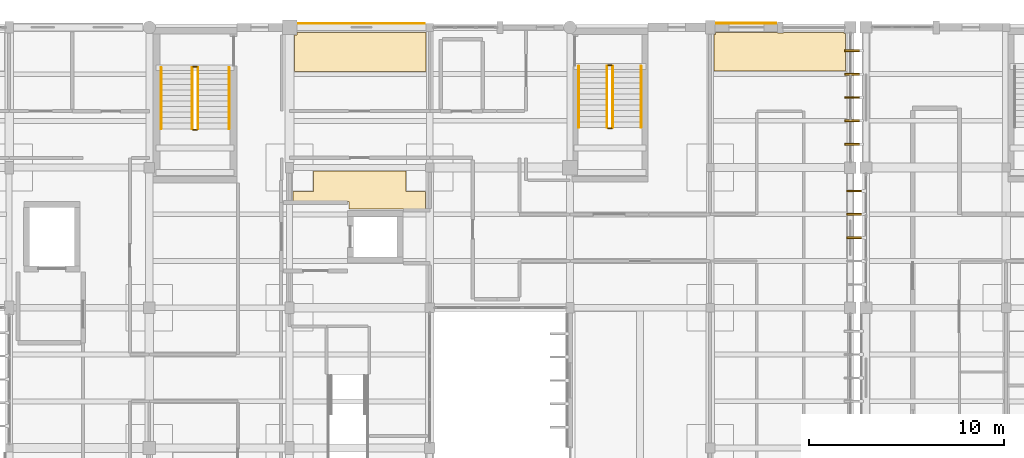
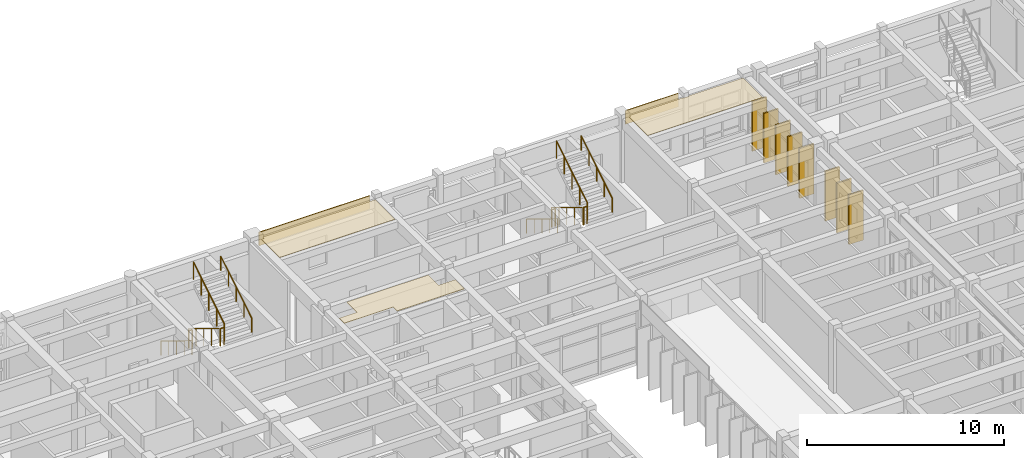
# One storey, part 96 of 100: 12 railings, 8 shading devices, 5 coverings.
"""IFC4 building model written with IfcOpenShell, lengths in metres."""

from ifc_helpers import new_model, si_unit, direction, frame, origin, origin_2d, place, context, subcontext, project, spatial, polyline, rectangle, circle, outline, extrude, material, layer, layer_set, material_profile, profile_set, type_object, element, save


model = new_model("IFC4")

# Units and contexts
model_context = context("Model", 3, precision=1e-05, world=origin(), true_north=direction((0.0, 1.0)))
body_context = subcontext(model_context, "Body", "Model", "MODEL_VIEW")
ifc_project = project(units=[si_unit("LENGTHUNIT", "METRE"), si_unit("AREAUNIT", "SQUARE_METRE"), si_unit("VOLUMEUNIT", "CUBIC_METRE"), si_unit("PLANEANGLEUNIT", "RADIAN"), si_unit("MASSUNIT", "GRAM", prefix="KILO")], contexts=[model_context])

# Site, building, storey
site_placement = place(None, origin())
site = spatial("IfcSite", under=ifc_project, at=site_placement, CompositionType="ELEMENT")
building_placement = place(site_placement, origin())
building = spatial("IfcBuilding", under=site, at=building_placement, Name="Steenspoor Specialist Clinic", CompositionType="ELEMENT")
storey_placement = place(building_placement, frame((0.0, 0.0, 9.0)))
storey = spatial("IfcBuildingStorey", under=building, at=storey_placement, Name="L02", CompositionType="ELEMENT", Elevation=9.0)

# Coverings
ifc_material_1 = material(Name="Washable acoustic mineral ceiling board", Category="gypsum")
ifc_layer_1 = layer(ifc_material_1, 0.02490234375)
ifc_layer_set_1 = layer_set([ifc_layer_1], Name="Washable acoustic mineral ceiling board")
covering_type_1 = type_object("IfcCoveringType", Name="COV-CEIL-ACOUSTIC", PredefinedType="CEILING", material=ifc_layer_set_1)
covering_1_placement = place(storey_placement, frame((0.0, 0.0, 3.925048828125)))
element("IfcCovering", 1, at=covering_1_placement, inside=storey, type_object=covering_type_1, Name="Acoustic Clinical Ceiling 138", PredefinedType="CEILING", context=body_context, shape_type="SweptSolid", body=[
    extrude(outline(polyline([(113.445068359375, 108.090087890625), (113.445068359375, 108.054931640625), (113.7548828125, 108.054931640625), (113.7548828125, 108.090087890625), (116.885009765625, 108.090087890625), (116.885009765625, 108.034912109375), (116.93994140625, 108.034912109375), (116.93994140625, 106.10009765625), (110.195068359375, 106.10009765625), (110.195068359375, 107.985107421875), (110.264892578125, 107.985107421875), (110.264892578125, 108.090087890625), (113.445068359375, 108.090087890625)])), origin(), (0.0, 0.0, 1.0), 0.02490234375),
])
covering_2_placement = place(storey_placement, frame((0.0, 0.0, 3.925048828125)))
element("IfcCovering", 2, at=covering_2_placement, inside=storey, type_object=covering_type_1, Name="Acoustic Clinical Ceiling 143", PredefinedType="CEILING", context=body_context, shape_type="SweptSolid", body=[
    extrude(outline(polyline([(91.43994140625, 99.014892578125), (91.43994140625, 99.4150390625), (88.570068359375, 99.4150390625), (88.570068359375, 99.929931640625), (89.6201171875, 99.929931640625), (89.6201171875, 100.97998046875), (94.3798828125, 100.97998046875), (94.3798828125, 99.929931640625), (95.3798828125, 99.929931640625), (95.3798828125, 99.014892578125), (91.43994140625, 99.014892578125)])), origin(), (0.0, 0.0, 1.0), 0.02490234375),
])
covering_3_placement = place(storey_placement, frame((0.0, 0.0, 3.925048828125)))
element("IfcCovering", 3, at=covering_3_placement, inside=storey, type_object=covering_type_1, Name="Acoustic Clinical Ceiling 144", PredefinedType="CEILING", context=body_context, shape_type="SweptSolid", body=[
    extrude(outline(polyline([(95.405029296875, 108.090087890625), (95.405029296875, 106.090087890625), (88.64501953125, 106.090087890625), (88.64501953125, 107.9599609375), (88.7900390625, 107.9599609375), (88.7900390625, 108.090087890625), (95.405029296875, 108.090087890625)])), origin(), (0.0, 0.0, 1.0), 0.02490234375),
])
ifc_material_2 = material(Name="Glazed ceramic relief spandrel cladding", Category="masonry")
ifc_layer_2 = layer(ifc_material_2, 0.034912109375)
ifc_layer_set_2 = layer_set([ifc_layer_2], Name="Glazed ceramic relief spandrel cladding")
covering_type_2 = type_object("IfcCoveringType", Name="COV-CLAD-CERAMIC", PredefinedType="CLADDING", material=ifc_layer_set_2)
covering_4_placement = place(storey_placement, frame((92.08740234375, 108.550048828125, 3.11474609375), z_axis=(0.0, 0.0, 1.0), x_axis=(1.0, 0.0, 0.0)))
element("IfcCovering", 4, at=covering_4_placement, inside=storey, type_object=covering_type_2, Name="Spandrel Cladding 42", PredefinedType="CLADDING", context=body_context, shape_type="SweptSolid", body=[
    extrude(rectangle(XDim=6.5048828125, YDim=0.0400390625, at=origin_2d()), origin(), (0.0, 0.0, 1.0), 0.840087890625),
])
covering_5_placement = place(storey_placement, frame((111.85498046875, 108.56494140625, 3.11474609375), z_axis=(0.0, 0.0, 1.0), x_axis=(1.0, 0.0, 0.0)))
element("IfcCovering", 5, at=covering_5_placement, inside=storey, type_object=covering_type_2, Name="Spandrel Cladding 43", PredefinedType="CLADDING", context=body_context, shape_type="SweptSolid", body=[
    extrude(rectangle(XDim=3.090087890625, YDim=0.0400390625, at=origin_2d()), origin(), (0.0, 0.0, 1.0), 0.840087890625),
])

# Railings
ifc_material_3 = material(Name="Painted architectural steel balustrade", Category="steel")
railing_type_1 = type_object("IfcRailingType", Name="RAIL-GUARD-1100", PredefinedType="GUARDRAIL", material=ifc_material_3)
railing_1_placement = place(storey_placement, frame((104.699951171875, 106.35009765625, 0.175048828125)))
element("IfcRailing", 6, at=railing_1_placement, inside=storey, type_object=railing_type_1, Name="L02 ST-V4B stair guard 1", PredefinedType="GUARDRAIL", context=body_context, shape_type="SweptSolid", body=[
    extrude(circle(Radius=0.02392578125, at=origin_2d()), frame((0.0, 0.0, 1.076171875), z_axis=(0.0, -0.852166034122, 0.523271488128), x_axis=(1.0, 0.0, 0.0)), (0.0, 0.0, 1.0), 3.678955078125),
    extrude(circle(Radius=0.02099609375, at=origin_2d()), origin(), (0.0, 0.0, 1.0), 1.052001953125),
    extrude(circle(Radius=0.02099609375, at=origin_2d()), frame((0.0, -0.78369140625, 0.481201171875)), (0.0, 0.0, 1.0), 1.052001953125),
    extrude(circle(Radius=0.02099609375, at=origin_2d()), frame((0.0, -1.5673828125, 0.96240234375)), (0.0, 0.0, 1.0), 1.052001953125),
    extrude(circle(Radius=0.02099609375, at=origin_2d()), frame((0.0, -2.351318359375, 1.44384765625)), (0.0, 0.0, 1.0), 1.052001953125),
    extrude(circle(Radius=0.02099609375, at=origin_2d()), frame((0.0, -3.135009765625, 1.925048828125)), (0.0, 0.0, 1.0), 1.052001953125),
])
railing_2_placement = place(storey_placement, frame((104.75, 103.1650390625, 2.10009765625)))
element("IfcRailing", 7, at=railing_2_placement, inside=storey, type_object=railing_type_1, Name="L02 ST-V4B stair guard 2", PredefinedType="GUARDRAIL", context=body_context, shape_type="SweptSolid", body=[
    extrude(circle(Radius=0.02392578125, at=origin_2d()), frame((0.0, 0.0, 1.076171875), z_axis=(1.0, 0.0, 0.0), x_axis=(0.0, 1.0, 0.0)), (0.0, 0.0, 1.0), 0.199951171875),
    extrude(circle(Radius=0.02099609375, at=origin_2d()), origin(), (0.0, 0.0, 1.0), 1.052001953125),
    extrude(circle(Radius=0.02099609375, at=origin_2d()), frame((0.199951171875, 0.0, 0.0)), (0.0, 0.0, 1.0), 1.052001953125),
])
railing_3_placement = place(storey_placement, frame((105.0, 103.215087890625, 2.27490234375)))
element("IfcRailing", 8, at=railing_3_placement, inside=storey, type_object=railing_type_1, Name="L02 ST-V4B stair guard 3", PredefinedType="GUARDRAIL", context=body_context, shape_type="SweptSolid", body=[
    extrude(circle(Radius=0.02392578125, at=origin_2d()), frame((0.0, 0.0, 1.076171875), z_axis=(0.0, 0.852166034122, 0.523271488128), x_axis=(-1.0, 0.0, 0.0)), (0.0, 0.0, 1.0), 3.678955078125),
    extrude(circle(Radius=0.02099609375, at=origin_2d()), origin(), (0.0, 0.0, 1.0), 1.052001953125),
    extrude(circle(Radius=0.02099609375, at=origin_2d()), frame((0.0, 0.78369140625, 0.481201171875)), (0.0, 0.0, 1.0), 1.052001953125),
    extrude(circle(Radius=0.02099609375, at=origin_2d()), frame((0.0, 1.5673828125, 0.96240234375)), (0.0, 0.0, 1.0), 1.052001953125),
    extrude(circle(Radius=0.02099609375, at=origin_2d()), frame((0.0, 2.351318359375, 1.44384765625)), (0.0, 0.0, 1.0), 1.052001953125),
    extrude(circle(Radius=0.02099609375, at=origin_2d()), frame((0.0, 3.135009765625, 1.925048828125)), (0.0, 0.0, 1.0), 1.052001953125),
])
railing_4_placement = place(storey_placement, frame((104.75, 106.39990234375, 0.0)))
element("IfcRailing", 9, at=railing_4_placement, inside=storey, type_object=railing_type_1, Name="L02 ST-V4B stair guard 4", PredefinedType="GUARDRAIL", context=body_context, shape_type="SweptSolid", body=[
    extrude(circle(Radius=0.02392578125, at=origin_2d()), frame((0.0, 0.0, 1.076171875), z_axis=(1.0, 0.0, 0.0), x_axis=(0.0, 1.0, 0.0)), (0.0, 0.0, 1.0), 0.199951171875),
    extrude(circle(Radius=0.02099609375, at=origin_2d()), origin(), (0.0, 0.0, 1.0), 1.052001953125),
    extrude(circle(Radius=0.02099609375, at=origin_2d()), frame((0.199951171875, 0.0, 0.0)), (0.0, 0.0, 1.0), 1.052001953125),
])
railing_5_placement = place(storey_placement, frame((83.39990234375, 106.280029296875, 0.175048828125)))
element("IfcRailing", 10, at=railing_5_placement, inside=storey, type_object=railing_type_1, Name="L02 ST-V4C stair guard 1", PredefinedType="GUARDRAIL", context=body_context, shape_type="SweptSolid", body=[
    extrude(circle(Radius=0.02392578125, at=origin_2d()), frame((0.0, 0.0, 1.076171875), z_axis=(0.0, -0.852166034122, 0.523271488128), x_axis=(1.0, 0.0, 0.0)), (0.0, 0.0, 1.0), 3.678955078125),
    extrude(circle(Radius=0.02099609375, at=origin_2d()), origin(), (0.0, 0.0, 1.0), 1.052001953125),
    extrude(circle(Radius=0.02099609375, at=origin_2d()), frame((0.0, -0.78369140625, 0.481201171875)), (0.0, 0.0, 1.0), 1.052001953125),
    extrude(circle(Radius=0.02099609375, at=origin_2d()), frame((0.0, -1.5673828125, 0.96240234375)), (0.0, 0.0, 1.0), 1.052001953125),
    extrude(circle(Radius=0.02099609375, at=origin_2d()), frame((0.0, -2.351318359375, 1.44384765625)), (0.0, 0.0, 1.0), 1.052001953125),
    extrude(circle(Radius=0.02099609375, at=origin_2d()), frame((0.0, -3.135009765625, 1.925048828125)), (0.0, 0.0, 1.0), 1.052001953125),
])
railing_6_placement = place(storey_placement, frame((83.449951171875, 103.094970703125, 2.10009765625)))
element("IfcRailing", 11, at=railing_6_placement, inside=storey, type_object=railing_type_1, Name="L02 ST-V4C stair guard 2", PredefinedType="GUARDRAIL", context=body_context, shape_type="SweptSolid", body=[
    extrude(circle(Radius=0.02392578125, at=origin_2d()), frame((0.0, 0.0, 1.076171875), z_axis=(1.0, 0.0, 0.0), x_axis=(0.0, 1.0, 0.0)), (0.0, 0.0, 1.0), 0.199951171875),
    extrude(circle(Radius=0.02099609375, at=origin_2d()), origin(), (0.0, 0.0, 1.0), 1.052001953125),
    extrude(circle(Radius=0.02099609375, at=origin_2d()), frame((0.199951171875, 0.0, 0.0)), (0.0, 0.0, 1.0), 1.052001953125),
])
railing_7_placement = place(storey_placement, frame((83.699951171875, 103.14501953125, 2.27490234375)))
element("IfcRailing", 12, at=railing_7_placement, inside=storey, type_object=railing_type_1, Name="L02 ST-V4C stair guard 3", PredefinedType="GUARDRAIL", context=body_context, shape_type="SweptSolid", body=[
    extrude(circle(Radius=0.02392578125, at=origin_2d()), frame((0.0, 0.0, 1.076171875), z_axis=(0.0, 0.852166034122, 0.523271488128), x_axis=(-1.0, 0.0, 0.0)), (0.0, 0.0, 1.0), 3.678955078125),
    extrude(circle(Radius=0.02099609375, at=origin_2d()), origin(), (0.0, 0.0, 1.0), 1.052001953125),
    extrude(circle(Radius=0.02099609375, at=origin_2d()), frame((0.0, 0.78369140625, 0.481201171875)), (0.0, 0.0, 1.0), 1.052001953125),
    extrude(circle(Radius=0.02099609375, at=origin_2d()), frame((0.0, 1.5673828125, 0.96240234375)), (0.0, 0.0, 1.0), 1.052001953125),
    extrude(circle(Radius=0.02099609375, at=origin_2d()), frame((0.0, 2.351318359375, 1.44384765625)), (0.0, 0.0, 1.0), 1.052001953125),
    extrude(circle(Radius=0.02099609375, at=origin_2d()), frame((0.0, 3.135009765625, 1.925048828125)), (0.0, 0.0, 1.0), 1.052001953125),
])
railing_8_placement = place(storey_placement, frame((83.449951171875, 106.330078125, 0.0)))
element("IfcRailing", 13, at=railing_8_placement, inside=storey, type_object=railing_type_1, Name="L02 ST-V4C stair guard 4", PredefinedType="GUARDRAIL", context=body_context, shape_type="SweptSolid", body=[
    extrude(circle(Radius=0.02392578125, at=origin_2d()), frame((0.0, 0.0, 1.076171875), z_axis=(1.0, 0.0, 0.0), x_axis=(0.0, 1.0, 0.0)), (0.0, 0.0, 1.0), 0.199951171875),
    extrude(circle(Radius=0.02099609375, at=origin_2d()), origin(), (0.0, 0.0, 1.0), 1.052001953125),
    extrude(circle(Radius=0.02099609375, at=origin_2d()), frame((0.199951171875, 0.0, 0.0)), (0.0, 0.0, 1.0), 1.052001953125),
])
ifc_material_4 = material(Name="Brushed stainless steel clinical handrail", Category="steel")
railing_type_2 = type_object("IfcRailingType", Name="RAIL-HAND-900", PredefinedType="HANDRAIL", material=ifc_material_4)
railing_9_placement = place(storey_placement, frame((103.25, 106.35009765625, 0.175048828125)))
element("IfcRailing", 14, at=railing_9_placement, inside=storey, type_object=railing_type_2, Name="L02 ST-V4B stair handrail 1", PredefinedType="HANDRAIL", context=body_context, shape_type="SweptSolid", body=[
    extrude(circle(Radius=0.02392578125, at=origin_2d()), frame((0.0, 0.0, 0.8759765625), z_axis=(0.0, -0.852166034122, 0.523271488128), x_axis=(1.0, 0.0, 0.0)), (0.0, 0.0, 1.0), 3.678955078125),
    extrude(circle(Radius=0.02099609375, at=origin_2d()), origin(), (0.0, 0.0, 1.0), 0.851806640625),
    extrude(circle(Radius=0.02099609375, at=origin_2d()), frame((0.0, -0.78369140625, 0.481201171875)), (0.0, 0.0, 1.0), 0.851806640625),
    extrude(circle(Radius=0.02099609375, at=origin_2d()), frame((0.0, -1.5673828125, 0.96240234375)), (0.0, 0.0, 1.0), 0.851806640625),
    extrude(circle(Radius=0.02099609375, at=origin_2d()), frame((0.0, -2.351318359375, 1.44384765625)), (0.0, 0.0, 1.0), 0.851806640625),
    extrude(circle(Radius=0.02099609375, at=origin_2d()), frame((0.0, -3.135009765625, 1.925048828125)), (0.0, 0.0, 1.0), 0.851806640625),
])
railing_10_placement = place(storey_placement, frame((106.449951171875, 103.215087890625, 2.27490234375)))
element("IfcRailing", 15, at=railing_10_placement, inside=storey, type_object=railing_type_2, Name="L02 ST-V4B stair handrail 2", PredefinedType="HANDRAIL", context=body_context, shape_type="SweptSolid", body=[
    extrude(circle(Radius=0.02392578125, at=origin_2d()), frame((0.0, 0.0, 0.8759765625), z_axis=(0.0, 0.852166034122, 0.523271488128), x_axis=(-1.0, 0.0, 0.0)), (0.0, 0.0, 1.0), 3.678955078125),
    extrude(circle(Radius=0.02099609375, at=origin_2d()), origin(), (0.0, 0.0, 1.0), 0.851806640625),
    extrude(circle(Radius=0.02099609375, at=origin_2d()), frame((0.0, 0.78369140625, 0.481201171875)), (0.0, 0.0, 1.0), 0.851806640625),
    extrude(circle(Radius=0.02099609375, at=origin_2d()), frame((0.0, 1.5673828125, 0.96240234375)), (0.0, 0.0, 1.0), 0.851806640625),
    extrude(circle(Radius=0.02099609375, at=origin_2d()), frame((0.0, 2.351318359375, 1.44384765625)), (0.0, 0.0, 1.0), 0.851806640625),
    extrude(circle(Radius=0.02099609375, at=origin_2d()), frame((0.0, 3.135009765625, 1.925048828125)), (0.0, 0.0, 1.0), 0.851806640625),
])
railing_11_placement = place(storey_placement, frame((81.800048828125, 106.280029296875, 0.175048828125)))
element("IfcRailing", 16, at=railing_11_placement, inside=storey, type_object=railing_type_2, Name="L02 ST-V4C stair handrail 1", PredefinedType="HANDRAIL", context=body_context, shape_type="SweptSolid", body=[
    extrude(circle(Radius=0.02392578125, at=origin_2d()), frame((0.0, 0.0, 0.8759765625), z_axis=(0.0, -0.852166034122, 0.523271488128), x_axis=(1.0, 0.0, 0.0)), (0.0, 0.0, 1.0), 3.678955078125),
    extrude(circle(Radius=0.02099609375, at=origin_2d()), origin(), (0.0, 0.0, 1.0), 0.851806640625),
    extrude(circle(Radius=0.02099609375, at=origin_2d()), frame((0.0, -0.78369140625, 0.481201171875)), (0.0, 0.0, 1.0), 0.851806640625),
    extrude(circle(Radius=0.02099609375, at=origin_2d()), frame((0.0, -1.5673828125, 0.96240234375)), (0.0, 0.0, 1.0), 0.851806640625),
    extrude(circle(Radius=0.02099609375, at=origin_2d()), frame((0.0, -2.351318359375, 1.44384765625)), (0.0, 0.0, 1.0), 0.851806640625),
    extrude(circle(Radius=0.02099609375, at=origin_2d()), frame((0.0, -3.135009765625, 1.925048828125)), (0.0, 0.0, 1.0), 0.851806640625),
])
railing_12_placement = place(storey_placement, frame((85.300048828125, 103.14501953125, 2.27490234375)))
element("IfcRailing", 17, at=railing_12_placement, inside=storey, type_object=railing_type_2, Name="L02 ST-V4C stair handrail 2", PredefinedType="HANDRAIL", context=body_context, shape_type="SweptSolid", body=[
    extrude(circle(Radius=0.02392578125, at=origin_2d()), frame((0.0, 0.0, 0.8759765625), z_axis=(0.0, 0.852166034122, 0.523271488128), x_axis=(-1.0, 0.0, 0.0)), (0.0, 0.0, 1.0), 3.678955078125),
    extrude(circle(Radius=0.02099609375, at=origin_2d()), origin(), (0.0, 0.0, 1.0), 0.851806640625),
    extrude(circle(Radius=0.02099609375, at=origin_2d()), frame((0.0, 0.78369140625, 0.481201171875)), (0.0, 0.0, 1.0), 0.851806640625),
    extrude(circle(Radius=0.02099609375, at=origin_2d()), frame((0.0, 1.5673828125, 0.96240234375)), (0.0, 0.0, 1.0), 0.851806640625),
    extrude(circle(Radius=0.02099609375, at=origin_2d()), frame((0.0, 2.351318359375, 1.44384765625)), (0.0, 0.0, 1.0), 0.851806640625),
    extrude(circle(Radius=0.02099609375, at=origin_2d()), frame((0.0, 3.135009765625, 1.925048828125)), (0.0, 0.0, 1.0), 0.851806640625),
])

# Shading devices
ifc_material_5 = material(Name="Glulam GL28h", Category="wood")
ifc_material_profile = material_profile(ifc_material_5, rectangle(XDim=0.090087890625, YDim=0.85009765625, at=origin_2d()), Name="GL28H-90X850")
ifc_profile_set = profile_set([ifc_material_profile], Name="Glulam GL28h")
shading_device_type = type_object("IfcShadingDeviceType", Name="SHADE-FIN-850", PredefinedType="JALOUSIE", material=ifc_profile_set)
for number, where, z_axis, x_axis, name in (
    (18, (117.445068359375, 97.550048828125, 0.0), (0.0, 0.0, 1.0), (0.0, 1.0, 0.0), "Glulam Sun Fin FIN-V6-L02-0172"),
    (19, (117.445068359375, 98.75, 0.0), (0.0, 0.0, 1.0), (0.0, 1.0, 0.0), "Glulam Sun Fin FIN-V6-L02-0173"),
    (20, (117.445068359375, 99.949951171875, 0.0), (0.0, 0.0, 1.0), (0.0, 1.0, 0.0), "Glulam Sun Fin FIN-V6-L02-0174"),
    (21, (117.330078125, 102.35009765625, 0.0), (0.0, 0.0, 1.0), (0.0, 1.0, 0.0), "Glulam Sun Fin FIN-V6-L02-0175"),
    (22, (117.330078125, 103.550048828125, 0.0), (0.0, 0.0, 1.0), (0.0, 1.0, 0.0), "Glulam Sun Fin FIN-V6-L02-0176"),
    (23, (117.330078125, 104.75, 0.0), (0.0, 0.0, 1.0), (0.0, 1.0, 0.0), "Glulam Sun Fin FIN-V6-L02-0177"),
    (24, (117.330078125, 105.949951171875, 0.0), (0.0, 0.0, 1.0), (0.0, 1.0, 0.0), "Glulam Sun Fin FIN-V6-L02-0178"),
    (25, (117.330078125, 107.14990234375, 0.0), (0.0, 0.0, 1.0), (0.0, 1.0, 0.0), "Glulam Sun Fin FIN-V6-L02-0179"),
):
    element("IfcShadingDevice", number, at=place(storey_placement, frame(where, z_axis=z_axis, x_axis=x_axis)), inside=storey, type_object=shading_device_type, Name=name, PredefinedType="JALOUSIE", context=body_context, shape_type="SweptSolid", body=[
        extrude(rectangle(XDim=0.090087890625, YDim=0.85009765625, at=origin_2d()), origin(), (0.0, 0.0, 1.0), 3.080078125),
    ])

save(model, "model.ifc")
